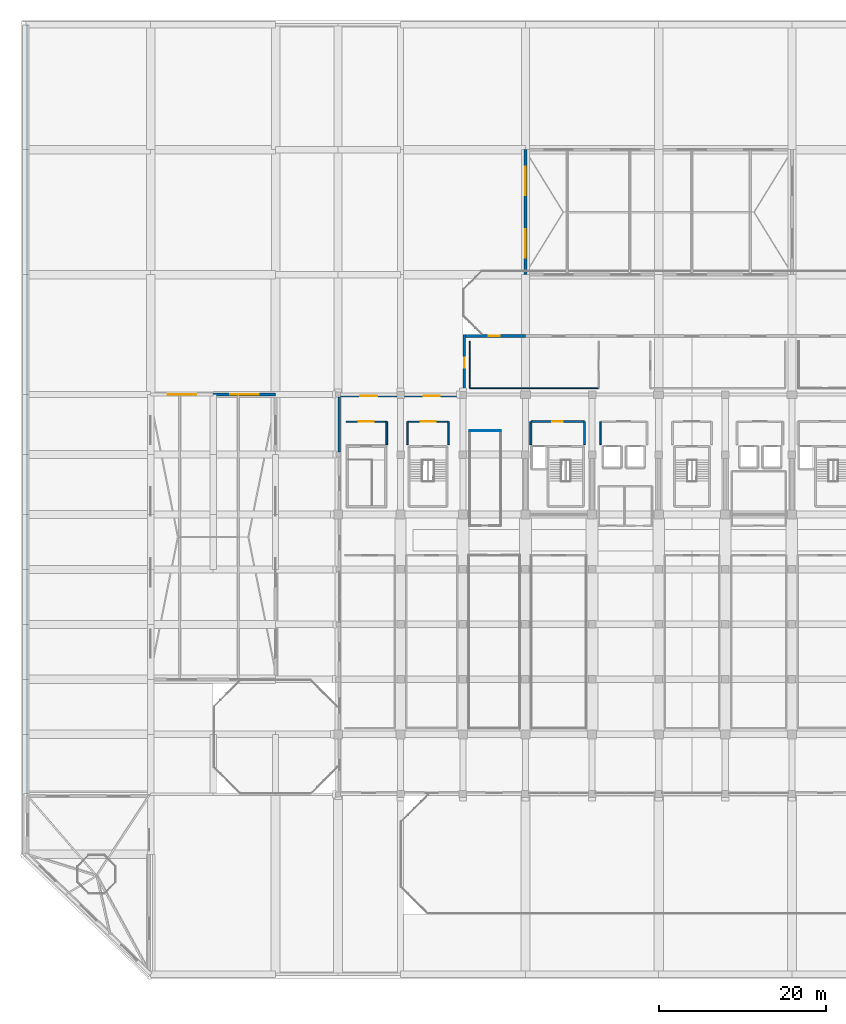
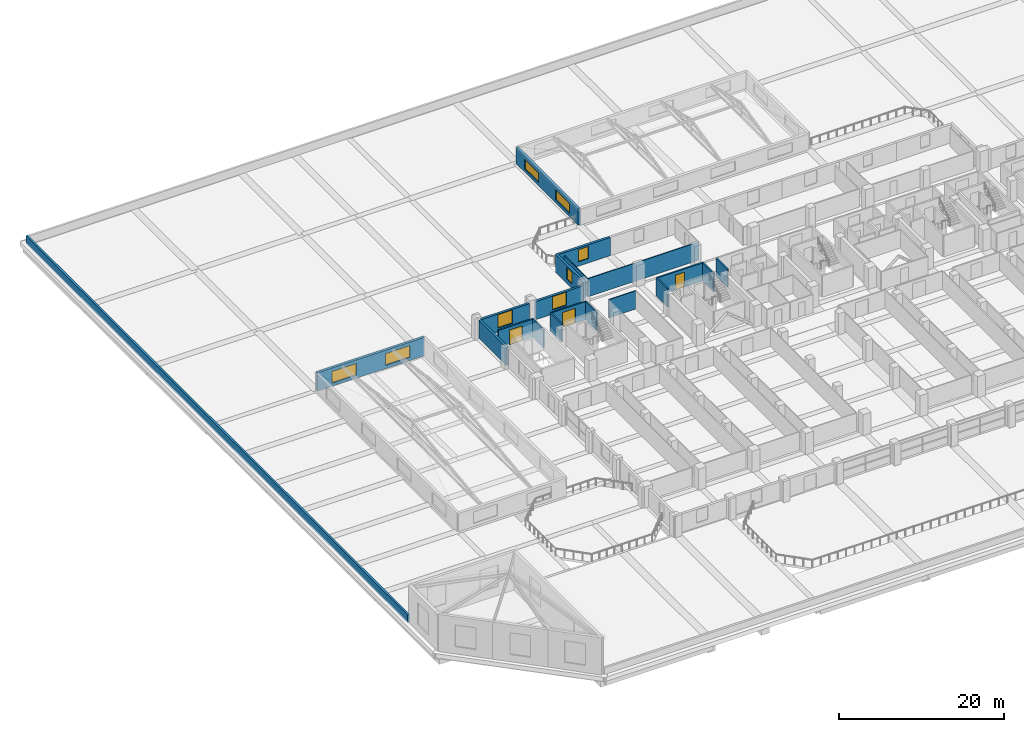
# One storey, part 40 of 49: 20 walls, 8 windows, 3 doors, 11 openings.
"""IFC4 building model written with IfcOpenShell, lengths in metres."""

from ifc_helpers import new_model, si_unit, direction, frame, frame_2d, origin, place, context, subcontext, project, spatial, rectangle, extrude, material, layer, layer_set, type_object, element, fill, save


model = new_model("IFC4")

# Units and contexts
model_context = context("Model", 3, precision=1e-05, world=origin(), true_north=direction((0.0, 1.0)))
body_context = subcontext(model_context, "Body", "Model", "MODEL_VIEW")
ifc_project = project(units=[si_unit("LENGTHUNIT", "METRE"), si_unit("AREAUNIT", "SQUARE_METRE"), si_unit("VOLUMEUNIT", "CUBIC_METRE"), si_unit("PLANEANGLEUNIT", "RADIAN"), si_unit("MASSUNIT", "GRAM", prefix="KILO")], contexts=[model_context])

# Site, building, storey
site_placement = place(None, origin())
site = spatial("IfcSite", under=ifc_project, at=site_placement, CompositionType="ELEMENT")
building_placement = place(site_placement, origin())
building = spatial("IfcBuilding", under=site, at=building_placement, Name="Akrevak Sports Hall", CompositionType="ELEMENT")
storey_placement = place(building_placement, frame((0.0, 0.0, 24.14990234375)))
storey = spatial("IfcBuildingStorey", under=building, at=storey_placement, Name="L04", CompositionType="ELEMENT", Elevation=24.14990234375)

# Wall, opening, window
ifc_material_1 = material(Name="Limestone Ashlar", Category="stone")
ifc_layer_1 = layer(ifc_material_1, 0.070068359375, Name="Limestone Ashlar")
ifc_material_2 = material(Name="Mineral Wool Thermal Insulation", Category="insulation")
ifc_layer_2 = layer(ifc_material_2, 0.090087890625, Name="Mineral Wool Thermal Insulation")
ifc_material_3 = material(Name="Concrete C40/50", Category="concrete")
ifc_layer_3 = layer(ifc_material_3, 0.159912109375, Name="Concrete C40/50")
ifc_layer_set_1 = layer_set([ifc_layer_1, ifc_layer_2, ifc_layer_3], Name="Limestone Ashlar / Mineral Wool Thermal Insulation / Concrete C40/50")
wall_type_1 = type_object("IfcWallType", Name="ARC-WL-EXT-320", PredefinedType="SOLIDWALL", material=ifc_layer_set_1)
wall_1_placement = place(storey_placement, frame((60.0, 76.639892578125, 0.0), z_axis=(0.0, 0.0, 1.0), x_axis=(-1.0, 0.0, 0.0)))
wall_1 = element("IfcWall", 1, at=wall_1_placement, inside=storey, type_object=wall_type_1, Name="Tower Stone Facade Wall L04-N26", PredefinedType="SOLIDWALL", context=body_context, shape_type="SweptSolid", body=[
    extrude(rectangle(XDim=7.5, YDim=0.320068359375, at=frame_2d((3.75, 0.0))), origin(), (0.0, 0.0, 1.0), 2.68017578125),
])
opening_1_placement = place(wall_1_placement, frame((3.074951171875, 0.0, 0.6201171875)))
opening_1 = element("IfcOpeningElement", 2, at=opening_1_placement, cuts=wall_1, Name="Opening WN-19", PredefinedType="OPENING", context=body_context, shape_type="SweptSolid", body=[
    extrude(rectangle(XDim=1.35009765625, YDim=1.800048828125, at=frame_2d((0.675048828125, 0.89990234375))), frame((0.0, 0.171875, 0.0), z_axis=(0.0, -1.0, 0.0), x_axis=(1.0, 0.0, 0.0)), (0.0, 0.0, 1.0), 0.343994140625),
])
ifc_material_4 = material(Name="Thermally Broken Bronze Frame & Double Low-E Glass", Category="glass")
window_type_1 = type_object("IfcWindowType", Name="ARC-WIN-TW-135x180", PartitioningType="SINGLE_PANEL", PredefinedType="WINDOW", material=ifc_material_4)
window_1_placement = place(opening_1_placement, origin())
window_1 = element("IfcWindow", 3, at=window_1_placement, inside=storey, type_object=window_type_1, Name="Tower Window L04-N26", OverallHeight=1.800048828125, OverallWidth=1.35009765625, PartitioningType="SINGLE_PANEL", PredefinedType="WINDOW", context=body_context, shape_type="SweptSolid", body=[
    extrude(rectangle(XDim=1.35009765625, YDim=1.800048828125, at=frame_2d((0.675048828125, 0.89990234375))), frame((0.0, 0.030029296875, 0.0), z_axis=(0.0, -1.0, 0.0), x_axis=(1.0, 0.0, 0.0)), (0.0, 0.0, 1.0), 0.06005859375),
])
fill(opening_1, window_1)

wall_2_placement = place(storey_placement, frame((52.659912109375, 76.800048828125, 0.0), z_axis=(0.0, 0.0, 1.0), x_axis=(0.0, -1.0, 0.0)))
wall_2 = element("IfcWall", 4, at=wall_2_placement, inside=storey, type_object=wall_type_1, Name="Tower Stone Facade Wall L04-W27", PredefinedType="SOLIDWALL", context=body_context, shape_type="SweptSolid", body=[
    extrude(rectangle(XDim=6.75, YDim=0.320068359375, at=frame_2d((3.375, 0.0))), origin(), (0.0, 0.0, 1.0), 2.68017578125),
])
opening_2_placement = place(wall_2_placement, frame((2.75, 0.0, 0.6201171875)))
opening_2 = element("IfcOpeningElement", 5, at=opening_2_placement, cuts=wall_2, Name="Opening WN-20", PredefinedType="OPENING", context=body_context, shape_type="SweptSolid", body=[
    extrude(rectangle(XDim=1.25, YDim=1.75, at=frame_2d((0.625, 0.875))), frame((0.0, 0.171875, 0.0), z_axis=(0.0, -1.0, 0.0), x_axis=(1.0, 0.0, 0.0)), (0.0, 0.0, 1.0), 0.343994140625),
])
window_type_2 = type_object("IfcWindowType", Name="ARC-WIN-TW-125x175", PartitioningType="SINGLE_PANEL", PredefinedType="WINDOW", material=ifc_material_4)
window_2_placement = place(opening_2_placement, origin())
window_2 = element("IfcWindow", 6, at=window_2_placement, inside=storey, type_object=window_type_2, Name="Tower Window L04-W27", OverallHeight=1.75, OverallWidth=1.25, PartitioningType="SINGLE_PANEL", PredefinedType="WINDOW", context=body_context, shape_type="SweptSolid", body=[
    extrude(rectangle(XDim=1.25, YDim=1.75, at=frame_2d((0.625, 0.875))), frame((0.0, 0.030029296875, 0.0), z_axis=(0.0, -1.0, 0.0), x_axis=(1.0, 0.0, 0.0)), (0.0, 0.0, 1.0), 0.06005859375),
])
fill(opening_2, window_2)

wall_3_placement = place(storey_placement, frame((52.050048828125, 69.43994140625, 0.0), z_axis=(0.0, 0.0, 1.0), x_axis=(-1.0, 0.0, 0.0)))
wall_3 = element("IfcWall", 7, at=wall_3_placement, inside=storey, type_object=wall_type_1, Name="Tower Stone Facade Wall L04-N28", PredefinedType="SOLIDWALL", context=body_context, shape_type="SweptSolid", body=[
    extrude(rectangle(XDim=6.60009765625, YDim=0.320068359375, at=frame_2d((3.300048828125, 0.0))), origin(), (0.0, 0.0, 1.0), 2.68017578125),
])
opening_3_placement = place(wall_3_placement, frame((2.324951171875, 0.0, 0.6201171875)))
opening_3 = element("IfcOpeningElement", 8, at=opening_3_placement, cuts=wall_3, Name="Opening WN-44", PredefinedType="OPENING", context=body_context, shape_type="SweptSolid", body=[
    extrude(rectangle(XDim=1.949951171875, YDim=1.9599609375, at=frame_2d((0.97509765625, 0.97998046875))), frame((0.0, 0.171875, 0.0), z_axis=(0.0, -1.0, 0.0), x_axis=(1.0, 0.0, 0.0)), (0.0, 0.0, 1.0), 0.343994140625),
])
window_type_3 = type_object("IfcWindowType", Name="ARC-WIN-SZ-1950x1960", PartitioningType="SINGLE_PANEL", PredefinedType="WINDOW", material=ifc_material_4)
window_3_placement = place(opening_3_placement, origin())
window_3 = element("IfcWindow", 9, at=window_3_placement, inside=storey, type_object=window_type_3, Name="Tower Window L04-N28", OverallHeight=1.9599609375, OverallWidth=1.949951171875, PartitioningType="SINGLE_PANEL", PredefinedType="WINDOW", context=body_context, shape_type="SweptSolid", body=[
    extrude(rectangle(XDim=1.949951171875, YDim=1.9599609375, at=frame_2d((0.97509765625, 0.97998046875))), frame((0.0, 0.030029296875, 0.0), z_axis=(0.0, -1.0, 0.0), x_axis=(1.0, 0.0, 0.0)), (0.0, 0.0, 1.0), 0.06005859375),
])
fill(opening_3, window_3)

wall_4_placement = place(storey_placement, frame((44.550048828125, 69.43994140625, 0.0), z_axis=(0.0, 0.0, 1.0), x_axis=(-1.0, 0.0, 0.0)))
wall_4 = element("IfcWall", 10, at=wall_4_placement, inside=storey, type_object=wall_type_1, Name="Tower Stone Facade Wall L04-N29", PredefinedType="SOLIDWALL", context=body_context, shape_type="SweptSolid", body=[
    extrude(rectangle(XDim=6.75, YDim=0.320068359375, at=frame_2d((3.375, 0.0))), origin(), (0.0, 0.0, 1.0), 2.68017578125),
])
opening_4_placement = place(wall_4_placement, frame((2.35009765625, 0.0, 0.6201171875)))
opening_4 = element("IfcOpeningElement", 11, at=opening_4_placement, cuts=wall_4, Name="Opening WN-47", PredefinedType="OPENING", context=body_context, shape_type="SweptSolid", body=[
    extrude(rectangle(XDim=2.050048828125, YDim=1.9599609375, at=frame_2d((1.02490234375, 0.97998046875))), frame((0.0, 0.171875, 0.0), z_axis=(0.0, -1.0, 0.0), x_axis=(1.0, 0.0, 0.0)), (0.0, 0.0, 1.0), 0.343994140625),
])
window_type_4 = type_object("IfcWindowType", Name="ARC-WIN-SZ-2050x1960", PartitioningType="SINGLE_PANEL", PredefinedType="WINDOW", material=ifc_material_4)
window_4_placement = place(opening_4_placement, origin())
window_4 = element("IfcWindow", 12, at=window_4_placement, inside=storey, type_object=window_type_4, Name="Tower Window L04-N29", OverallHeight=1.9599609375, OverallWidth=2.050048828125, PartitioningType="SINGLE_PANEL", PredefinedType="WINDOW", context=body_context, shape_type="SweptSolid", body=[
    extrude(rectangle(XDim=2.050048828125, YDim=1.9599609375, at=frame_2d((1.02490234375, 0.97998046875))), frame((0.0, 0.030029296875, 0.0), z_axis=(0.0, -1.0, 0.0), x_axis=(1.0, 0.0, 0.0)), (0.0, 0.0, 1.0), 0.06005859375),
])
fill(opening_4, window_4)

# Wall
wall_5_placement = place(storey_placement, frame((37.659912109375, 69.300048828125, 0.0), z_axis=(0.0, 0.0, 1.0), x_axis=(0.0, -1.0, 0.0)))
element("IfcWall", 13, at=wall_5_placement, inside=storey, type_object=wall_type_1, Name="Tower Stone Facade Wall L04-W30", PredefinedType="SOLIDWALL", context=body_context, shape_type="SweptSolid", body=[
    extrude(rectangle(XDim=6.625, YDim=0.320068359375, at=frame_2d((3.3125, 0.0))), origin(), (0.0, 0.0, 1.0), 2.68017578125),
])

# Wall, openings, windows
ifc_layer_4 = layer(ifc_material_1, 0.070068359375, Name="Limestone Ashlar")
ifc_layer_5 = layer(ifc_material_2, 0.10009765625, Name="Mineral Wool Thermal Insulation")
ifc_layer_6 = layer(ifc_material_3, 0.169921875, Name="Concrete C40/50")
ifc_layer_set_2 = layer_set([ifc_layer_4, ifc_layer_5, ifc_layer_6], Name="Limestone Ashlar / Mineral Wool Thermal Insulation / Concrete C40/50")
wall_type_2 = type_object("IfcWallType", Name="ARC-WL-EXT-340", PredefinedType="SOLIDWALL", material=ifc_layer_set_2)
wall_6_placement = place(storey_placement, frame((30.0, 69.60009765625, 0.0), z_axis=(0.0, 0.0, 1.0), x_axis=(-1.0, 0.0, 0.0)))
wall_6 = element("IfcWall", 14, at=wall_6_placement, inside=storey, type_object=wall_type_2, Name="West Sports Hall Clerestory Monitor N Wall", PredefinedType="SOLIDWALL", context=body_context, shape_type="SweptSolid", body=[
    extrude(rectangle(XDim=15.0, YDim=0.340087890625, at=frame_2d((7.5, 0.0))), origin(), (0.0, 0.0, 1.0), 2.7001953125),
])
opening_5_placement = place(wall_6_placement, frame((2.050048828125, 0.0, 0.4599609375)))
opening_5 = element("IfcOpeningElement", 15, at=opening_5_placement, cuts=wall_6, Name="Opening WN-59", PredefinedType="OPENING", context=body_context, shape_type="SweptSolid", body=[
    extrude(rectangle(XDim=3.39990234375, YDim=1.739990234375, at=frame_2d((1.699951171875, 0.8701171875))), frame((0.0, 0.18212890625, 0.0), z_axis=(0.0, -1.0, 0.0), x_axis=(1.0, 0.0, 0.0)), (0.0, 0.0, 1.0), 0.364013671875),
])
opening_6_placement = place(wall_6_placement, frame((9.550048828125, 0.0, 0.4599609375)))
opening_6 = element("IfcOpeningElement", 16, at=opening_6_placement, cuts=wall_6, Name="Opening WN-59", PredefinedType="OPENING", context=body_context, shape_type="SweptSolid", body=[
    extrude(rectangle(XDim=3.39990234375, YDim=1.739990234375, at=frame_2d((1.699951171875, 0.8701171875))), frame((0.0, 0.18212890625, 0.0), z_axis=(0.0, -1.0, 0.0), x_axis=(1.0, 0.0, 0.0)), (0.0, 0.0, 1.0), 0.364013671875),
])
window_type_5 = type_object("IfcWindowType", Name="ARC-WIN-SZ-3400x1740", PartitioningType="SINGLE_PANEL", PredefinedType="WINDOW", material=ifc_material_4)
window_5_placement = place(opening_5_placement, origin())
window_5 = element("IfcWindow", 17, at=window_5_placement, inside=storey, type_object=window_type_5, Name="West Sports Hall Clerestory Monitor Clerestory Window N.1", OverallHeight=1.739990234375, OverallWidth=3.39990234375, PartitioningType="SINGLE_PANEL", PredefinedType="WINDOW", context=body_context, shape_type="SweptSolid", body=[
    extrude(rectangle(XDim=3.39990234375, YDim=1.739990234375, at=frame_2d((1.699951171875, 0.8701171875))), frame((0.0, 0.030029296875, 0.0), z_axis=(0.0, -1.0, 0.0), x_axis=(1.0, 0.0, 0.0)), (0.0, 0.0, 1.0), 0.06005859375),
])
fill(opening_5, window_5)
window_6_placement = place(opening_6_placement, origin())
window_6 = element("IfcWindow", 18, at=window_6_placement, inside=storey, type_object=window_type_5, Name="West Sports Hall Clerestory Monitor Clerestory Window N.2", OverallHeight=1.739990234375, OverallWidth=3.39990234375, PartitioningType="SINGLE_PANEL", PredefinedType="WINDOW", context=body_context, shape_type="SweptSolid", body=[
    extrude(rectangle(XDim=3.39990234375, YDim=1.739990234375, at=frame_2d((1.699951171875, 0.8701171875))), frame((0.0, 0.030029296875, 0.0), z_axis=(0.0, -1.0, 0.0), x_axis=(1.0, 0.0, 0.0)), (0.0, 0.0, 1.0), 0.06005859375),
])
fill(opening_6, window_6)

wall_7_placement = place(storey_placement, frame((60.0, 99.0, 0.0), z_axis=(0.0, 0.0, 1.0), x_axis=(0.0, -1.0, 0.0)))
wall_7 = element("IfcWall", 19, at=wall_7_placement, inside=storey, type_object=wall_type_2, Name="North Athletes Hall Clerestory Monitor W Wall", PredefinedType="SOLIDWALL", context=body_context, shape_type="SweptSolid", body=[
    extrude(rectangle(XDim=15.0, YDim=0.340087890625, at=frame_2d((7.5, 0.0))), origin(), (0.0, 0.0, 1.0), 2.400146484375),
])
opening_7_placement = place(wall_7_placement, frame((2.050048828125, 0.0, 0.4599609375)))
opening_7 = element("IfcOpeningElement", 20, at=opening_7_placement, cuts=wall_7, Name="Opening WN-61", PredefinedType="OPENING", context=body_context, shape_type="SweptSolid", body=[
    extrude(rectangle(XDim=3.39990234375, YDim=1.43994140625, at=frame_2d((1.699951171875, 0.719970703125))), frame((0.0, 0.18212890625, 0.0), z_axis=(0.0, -1.0, 0.0), x_axis=(1.0, 0.0, 0.0)), (0.0, 0.0, 1.0), 0.364013671875),
])
opening_8_placement = place(wall_7_placement, frame((9.550048828125, 0.0, 0.4599609375)))
opening_8 = element("IfcOpeningElement", 21, at=opening_8_placement, cuts=wall_7, Name="Opening WN-61", PredefinedType="OPENING", context=body_context, shape_type="SweptSolid", body=[
    extrude(rectangle(XDim=3.39990234375, YDim=1.43994140625, at=frame_2d((1.699951171875, 0.719970703125))), frame((0.0, 0.18212890625, 0.0), z_axis=(0.0, -1.0, 0.0), x_axis=(1.0, 0.0, 0.0)), (0.0, 0.0, 1.0), 0.364013671875),
])
window_type_6 = type_object("IfcWindowType", Name="ARC-WIN-SZ-3400x1440", PartitioningType="SINGLE_PANEL", PredefinedType="WINDOW", material=ifc_material_4)
window_7_placement = place(opening_7_placement, origin())
window_7 = element("IfcWindow", 22, at=window_7_placement, inside=storey, type_object=window_type_6, Name="North Athletes Hall Clerestory Monitor Clerestory Window W.1", OverallHeight=1.43994140625, OverallWidth=3.39990234375, PartitioningType="SINGLE_PANEL", PredefinedType="WINDOW", context=body_context, shape_type="SweptSolid", body=[
    extrude(rectangle(XDim=3.39990234375, YDim=1.43994140625, at=frame_2d((1.699951171875, 0.719970703125))), frame((0.0, 0.030029296875, 0.0), z_axis=(0.0, -1.0, 0.0), x_axis=(1.0, 0.0, 0.0)), (0.0, 0.0, 1.0), 0.06005859375),
])
fill(opening_7, window_7)
window_8_placement = place(opening_8_placement, origin())
window_8 = element("IfcWindow", 23, at=window_8_placement, inside=storey, type_object=window_type_6, Name="North Athletes Hall Clerestory Monitor Clerestory Window W.2", OverallHeight=1.43994140625, OverallWidth=3.39990234375, PartitioningType="SINGLE_PANEL", PredefinedType="WINDOW", context=body_context, shape_type="SweptSolid", body=[
    extrude(rectangle(XDim=3.39990234375, YDim=1.43994140625, at=frame_2d((1.699951171875, 0.719970703125))), frame((0.0, 0.030029296875, 0.0), z_axis=(0.0, -1.0, 0.0), x_axis=(1.0, 0.0, 0.0)), (0.0, 0.0, 1.0), 0.06005859375),
])
fill(opening_8, window_8)

# Walls
ifc_layer_7 = layer(ifc_material_1, 0.06005859375, Name="Limestone Ashlar")
ifc_layer_8 = layer(ifc_material_2, 0.0400390625, Name="Mineral Wool Thermal Insulation")
ifc_layer_9 = layer(ifc_material_3, 0.179931640625, Name="Concrete C40/50")
ifc_layer_set_3 = layer_set([ifc_layer_7, ifc_layer_8, ifc_layer_9], Name="Limestone Ashlar / Mineral Wool Thermal Insulation / Concrete C40/50")
wall_type_3 = type_object("IfcWallType", Name="ARC-WL-PAR-280", PredefinedType="PARAPET", material=ifc_layer_set_3)
wall_8_placement = place(storey_placement, frame((0.139892578125, 114.0, 0.0), z_axis=(0.0, 0.0, 1.0), x_axis=(0.0, -1.0, 0.0)))
element("IfcWall", 24, at=wall_8_placement, inside=storey, type_object=wall_type_3, Name="Podium Roof Stone Cornice Parapet 4", PredefinedType="PARAPET", context=body_context, shape_type="SweptSolid", body=[
    extrude(rectangle(XDim=92.39990234375, YDim=0.280029296875, at=frame_2d((46.199951171875, 0.0))), origin(), (0.0, 0.0, 1.0), 1.2001953125),
])
ifc_material_5 = material(Name="Lightweight Office Partition", Category="gypsum")
ifc_layer_10 = layer(ifc_material_5, 0.110107421875, Name="Lightweight Office Partition")
ifc_layer_set_4 = layer_set([ifc_layer_10], Name="Lightweight Office Partition")
wall_type_4 = type_object("IfcWallType", Name="ARC-WL-PRT-110", PredefinedType="PARTITIONING", material=ifc_layer_set_4)
wall_9_placement = place(storey_placement, frame((53.300048828125, 65.25, 0.0), z_axis=(0.0, 0.0, 1.0), x_axis=(1.0, 0.0, 0.0)))
element("IfcWall", 25, at=wall_9_placement, inside=storey, type_object=wall_type_4, Name="Interior Partition Athletic Federation Press & Media Office L04 (N)", PredefinedType="PARTITIONING", context=body_context, shape_type="SweptSolid", body=[
    extrude(rectangle(XDim=3.75, YDim=0.110107421875, at=frame_2d((1.875, 0.0))), origin(), (0.0, 0.0, 1.0), 2.68017578125),
])
ifc_material_6 = material(Name="Standard Metal Stud Partition", Category="gypsum")
ifc_layer_11 = layer(ifc_material_6, 0.1201171875, Name="Standard Metal Stud Partition")
ifc_layer_set_5 = layer_set([ifc_layer_11], Name="Standard Metal Stud Partition")
wall_type_5 = type_object("IfcWallType", Name="ARC-WL-PRT-120", PredefinedType="PARTITIONING", material=ifc_layer_set_5)
wall_10_placement = place(storey_placement, frame((53.300048828125, 70.35009765625, 0.0), z_axis=(0.0, 0.0, 1.0), x_axis=(1.0, 0.0, 0.0)))
element("IfcWall", 26, at=wall_10_placement, inside=storey, type_object=wall_type_5, Name="Interior Partition Federation Protocol Office L04-1 (S)", PredefinedType="PARTITIONING", context=body_context, shape_type="SweptSolid", body=[
    extrude(rectangle(XDim=15.5, YDim=0.1201171875, at=frame_2d((7.75, 0.0))), origin(), (0.0, 0.0, 1.0), 2.68017578125),
])
wall_11_placement = place(storey_placement, frame((53.300048828125, 70.35009765625, 0.0), z_axis=(0.0, 0.0, 1.0), x_axis=(0.0, 1.0, 0.0)))
element("IfcWall", 27, at=wall_11_placement, inside=storey, type_object=wall_type_5, Name="Interior Partition Federation Protocol Office L04-1 (W)", PredefinedType="PARTITIONING", context=body_context, shape_type="SweptSolid", body=[
    extrude(rectangle(XDim=5.64990234375, YDim=0.1201171875, at=frame_2d((2.824951171875, 0.0))), origin(), (0.0, 0.0, 1.0), 2.68017578125),
])
ifc_material_7 = material(Name="Autoclaved Aerated Masonry Block", Category="masonry")
ifc_layer_12 = layer(ifc_material_7, 0.199951171875, Name="Autoclaved Aerated Masonry Block")
ifc_layer_set_6 = layer_set([ifc_layer_12], Name="Autoclaved Aerated Masonry Block")
wall_type_6 = type_object("IfcWallType", Name="ARC-WL-PRT-200", PredefinedType="PARTITIONING", material=ifc_layer_set_6)
wall_12_placement = place(storey_placement, frame((69.0, 63.60009765625, 0.0), z_axis=(0.0, 0.0, 1.0), x_axis=(0.0, 1.0, 0.0)))
element("IfcWall", 28, at=wall_12_placement, inside=storey, type_object=wall_type_6, Name="Interior Partition West Passenger Lift Lobby L04 (W)", PredefinedType="PARTITIONING", context=body_context, shape_type="SweptSolid", body=[
    extrude(rectangle(XDim=2.75, YDim=0.199951171875, at=frame_2d((1.375, 0.0))), origin(), (0.0, 0.0, 1.0), 2.68017578125),
])

# Wall, opening, door
wall_13_placement = place(storey_placement, frame((45.85009765625, 66.35009765625, 0.0), z_axis=(0.0, 0.0, 1.0), x_axis=(1.0, 0.0, 0.0)))
wall_13 = element("IfcWall", 29, at=wall_13_placement, inside=storey, type_object=wall_type_6, Name="Interior Partition West Wing Stair ST4 Vestibule L04 (N)", PredefinedType="PARTITIONING", context=body_context, shape_type="SweptSolid", body=[
    extrude(rectangle(XDim=4.89990234375, YDim=0.199951171875, at=frame_2d((2.449951171875, 0.0))), origin(), (0.0, 0.0, 1.0), 2.68017578125),
])
opening_9_placement = place(wall_13_placement, frame((1.550048828125, 0.0, 0.0)))
opening_9 = element("IfcOpeningElement", 30, at=opening_9_placement, cuts=wall_13, Name="Opening FD-02", PredefinedType="OPENING", context=body_context, shape_type="SweptSolid", body=[
    extrude(rectangle(XDim=1.800048828125, YDim=2.199951171875, at=frame_2d((0.89990234375, 1.10009765625))), frame((0.0, 0.11181640625, 0.0), z_axis=(0.0, -1.0, 0.0), x_axis=(1.0, 0.0, 0.0)), (0.0, 0.0, 1.0), 0.223876953125),
])
ifc_material_8 = material(Name="Fire-Rated Galvanized Door Steel", Category="steel")
door_type_1 = type_object("IfcDoorType", Name="ARC-DR-FIRE-180x220", OperationType="DOUBLE_DOOR_SINGLE_SWING", PredefinedType="DOOR", material=ifc_material_8)
door_1_placement = place(opening_9_placement, frame((1.800048828125, 0.0, 0.0), z_axis=(0.0, 0.0, 1.0), x_axis=(-1.0, 0.0, 0.0)))
door_1 = element("IfcDoor", 31, at=door_1_placement, inside=storey, type_object=door_type_1, Name="Door to West Wing Stair ST4 Vestibule L04", OperationType="DOUBLE_DOOR_SINGLE_SWING", OverallHeight=2.199951171875, OverallWidth=1.800048828125, PredefinedType="DOOR", context=body_context, shape_type="SweptSolid", body=[
    extrude(rectangle(XDim=1.800048828125, YDim=2.199951171875, at=frame_2d((0.89990234375, 1.10009765625))), frame((0.0, 0.02490234375, 0.0), z_axis=(0.0, -1.0, 0.0), x_axis=(1.0, 0.0, 0.0)), (0.0, 0.0, 1.0), 0.050048828125),
])
fill(opening_9, door_1)

# Walls
for number, where, z_axis, x_axis, name in (
    (32, (45.85009765625, 63.60009765625, 0.0), (0.0, 0.0, 1.0), (0.0, 1.0, 0.0), "Interior Partition West Wing Stair ST4 Vestibule L04 (W)"),
    (33, (50.75, 63.60009765625, 0.0), (0.0, 0.0, 1.0), (0.0, 1.0, 0.0), "Interior Partition West Wing Stair ST4 Vestibule L04 (E)"),
):
    element("IfcWall", number, at=place(storey_placement, frame(where, z_axis=z_axis, x_axis=x_axis)), inside=storey, type_object=wall_type_6, Name=name, PredefinedType="PARTITIONING", context=body_context, shape_type="SweptSolid", body=[
        extrude(rectangle(XDim=2.75, YDim=0.199951171875, at=frame_2d((1.375, 0.0))), origin(), (0.0, 0.0, 1.0), 2.68017578125),
    ])

# Wall, opening, door
wall_14_placement = place(storey_placement, frame((38.449951171875, 66.35009765625, 0.0), z_axis=(0.0, 0.0, 1.0), x_axis=(1.0, 0.0, 0.0)))
wall_14 = element("IfcWall", 34, at=wall_14_placement, inside=storey, type_object=wall_type_6, Name="Interior Partition Transfer Stair ST9 Vestibule L04 (N)", PredefinedType="PARTITIONING", context=body_context, shape_type="SweptSolid", body=[
    extrude(rectangle(XDim=4.900146484375, YDim=0.199951171875, at=frame_2d((2.4501953125, 0.0))), origin(), (0.0, 0.0, 1.0), 2.68017578125),
])
opening_10_placement = place(wall_14_placement, frame((1.550048828125, 0.0, 0.0)))
opening_10 = element("IfcOpeningElement", 35, at=opening_10_placement, cuts=wall_14, Name="Opening FD-02", PredefinedType="OPENING", context=body_context, shape_type="SweptSolid", body=[
    extrude(rectangle(XDim=1.800048828125, YDim=2.199951171875, at=frame_2d((0.89990234375, 1.10009765625))), frame((0.0, 0.11181640625, 0.0), z_axis=(0.0, -1.0, 0.0), x_axis=(1.0, 0.0, 0.0)), (0.0, 0.0, 1.0), 0.223876953125),
])
door_2_placement = place(opening_10_placement, frame((1.800048828125, 0.0, 0.0), z_axis=(0.0, 0.0, 1.0), x_axis=(-1.0, 0.0, 0.0)))
door_2 = element("IfcDoor", 36, at=door_2_placement, inside=storey, type_object=door_type_1, Name="Door to Transfer Stair ST9 Vestibule L04", OperationType="DOUBLE_DOOR_SINGLE_SWING", OverallHeight=2.199951171875, OverallWidth=1.800048828125, PredefinedType="DOOR", context=body_context, shape_type="SweptSolid", body=[
    extrude(rectangle(XDim=1.800048828125, YDim=2.199951171875, at=frame_2d((0.89990234375, 1.10009765625))), frame((0.0, 0.02490234375, 0.0), z_axis=(0.0, -1.0, 0.0), x_axis=(1.0, 0.0, 0.0)), (0.0, 0.0, 1.0), 0.050048828125),
])
fill(opening_10, door_2)

# Wall
wall_15_placement = place(storey_placement, frame((43.35009765625, 63.60009765625, 0.0), z_axis=(0.0, 0.0, 1.0), x_axis=(0.0, 1.0, 0.0)))
element("IfcWall", 37, at=wall_15_placement, inside=storey, type_object=wall_type_6, Name="Interior Partition Transfer Stair ST9 Vestibule L04 (E)", PredefinedType="PARTITIONING", context=body_context, shape_type="SweptSolid", body=[
    extrude(rectangle(XDim=2.75, YDim=0.199951171875, at=frame_2d((1.375, 0.0))), origin(), (0.0, 0.0, 1.0), 2.68017578125),
])

# Wall, opening, door
ifc_layer_13 = layer(ifc_material_3, 0.219970703125, Name="Concrete C40/50")
ifc_layer_set_7 = layer_set([ifc_layer_13], Name="Concrete C40/50")
wall_type_7 = type_object("IfcWallType", Name="ARC-WL-PRT-220", PredefinedType="PARTITIONING", material=ifc_layer_set_7)
wall_16_placement = place(storey_placement, frame((60.64990234375, 66.35009765625, 0.0), z_axis=(0.0, 0.0, 1.0), x_axis=(1.0, 0.0, 0.0)))
wall_16 = element("IfcWall", 38, at=wall_16_placement, inside=storey, type_object=wall_type_7, Name="Interior Partition Firefighting Lobby West L04 (N)", PredefinedType="PARTITIONING", context=body_context, shape_type="SweptSolid", body=[
    extrude(rectangle(XDim=6.4501953125, YDim=0.219970703125, at=frame_2d((3.22509765625, 0.0))), origin(), (0.0, 0.0, 1.0), 2.68017578125),
])
opening_11_placement = place(wall_16_placement, frame((2.574951171875, 0.0, 0.0)))
opening_11 = element("IfcOpeningElement", 39, at=opening_11_placement, cuts=wall_16, Name="Opening FD-01", PredefinedType="OPENING", context=body_context, shape_type="SweptSolid", body=[
    extrude(rectangle(XDim=1.25, YDim=2.199951171875, at=frame_2d((0.625, 1.10009765625))), frame((0.0, 0.1220703125, 0.0), z_axis=(0.0, -1.0, 0.0), x_axis=(1.0, 0.0, 0.0)), (0.0, 0.0, 1.0), 0.243896484375),
])
door_type_2 = type_object("IfcDoorType", Name="ARC-DR-FFL-125x220", OperationType="NOTDEFINED", PredefinedType="DOOR", material=ifc_material_8)
door_3_placement = place(opening_11_placement, frame((1.25, 0.0, 0.0), z_axis=(0.0, 0.0, 1.0), x_axis=(-1.0, 0.0, 0.0)))
door_3 = element("IfcDoor", 40, at=door_3_placement, inside=storey, type_object=door_type_2, Name="Door to Firefighting Lobby West L04", OperationType="SINGLE_SWING_RIGHT", OverallHeight=2.199951171875, OverallWidth=1.25, PredefinedType="DOOR", context=body_context, shape_type="SweptSolid", body=[
    extrude(rectangle(XDim=1.25, YDim=2.199951171875, at=frame_2d((0.625, 1.10009765625))), frame((0.0, 0.02490234375, 0.0), z_axis=(0.0, -1.0, 0.0), x_axis=(1.0, 0.0, 0.0)), (0.0, 0.0, 1.0), 0.050048828125),
])
fill(opening_11, door_3)

# Walls
for number, where, z_axis, x_axis, name in (
    (41, (60.64990234375, 63.60009765625, 0.0), (0.0, 0.0, 1.0), (0.0, 1.0, 0.0), "Interior Partition Firefighting Lobby West L04 (W)"),
    (42, (67.10009765625, 63.60009765625, 0.0), (0.0, 0.0, 1.0), (0.0, 1.0, 0.0), "Interior Partition Firefighting Lobby West L04 (E)"),
):
    element("IfcWall", number, at=place(storey_placement, frame(where, z_axis=z_axis, x_axis=x_axis)), inside=storey, type_object=wall_type_7, Name=name, PredefinedType="PARTITIONING", context=body_context, shape_type="SweptSolid", body=[
        extrude(rectangle(XDim=2.75, YDim=0.219970703125, at=frame_2d((1.375, 0.0))), origin(), (0.0, 0.0, 1.0), 2.68017578125),
    ])

save(model, "model.ifc")
